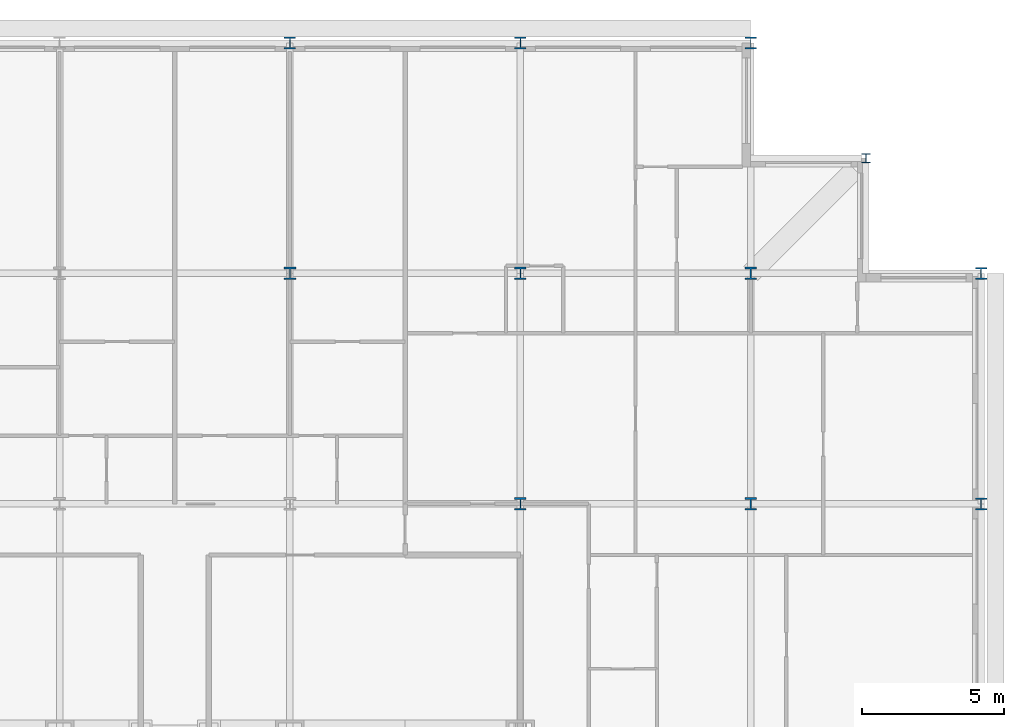
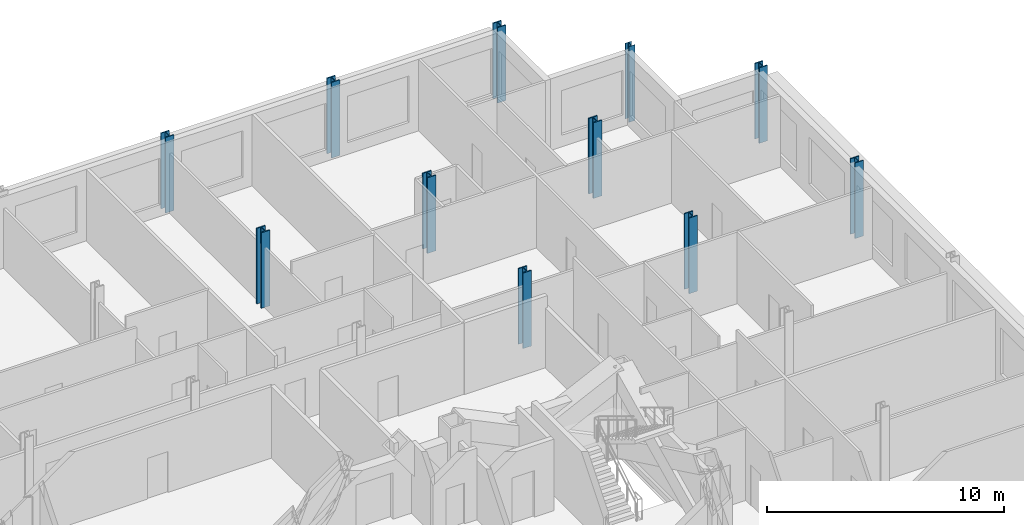
# One storey, part 4 of 15: 11 columns.
"""IFC4 building model written with IfcOpenShell, lengths in metres."""

from ifc_helpers import new_model, si_unit, direction, frame, origin, origin_2d, place, context, subcontext, project, spatial, i_section, extrude, material, material_profile, profile_set, type_object, element, save


model = new_model("IFC4")

# Units and contexts
model_context = context("Model", 3, precision=1e-05, world=origin(), true_north=direction((0.0, 1.0)))
body_context = subcontext(model_context, "Body", "Model", "MODEL_VIEW")
ifc_project = project(units=[si_unit("LENGTHUNIT", "METRE"), si_unit("AREAUNIT", "SQUARE_METRE"), si_unit("VOLUMEUNIT", "CUBIC_METRE"), si_unit("PLANEANGLEUNIT", "RADIAN"), si_unit("MASSUNIT", "GRAM", prefix="KILO")], contexts=[model_context])

# Site, building, storey
site_placement = place(None, origin())
site = spatial("IfcSite", under=ifc_project, at=site_placement, CompositionType="ELEMENT")
building_placement = place(site_placement, origin())
building = spatial("IfcBuilding", under=site, at=building_placement, Name="Kopane Lantern Tower", CompositionType="ELEMENT")
storey_placement = place(building_placement, frame((0.0, 0.0, 281.39990234375)))
storey = spatial("IfcBuildingStorey", under=building, at=storey_placement, Name="L72", CompositionType="ELEMENT", Elevation=281.39990234375)

# Columns
ifc_material_1 = material(Name="Steel S355JR", Category="steel")
ifc_material_profile_1 = material_profile(ifc_material_1, i_section(OverallWidth=0.307373046875, OverallDepth=0.314453125, WebThickness=0.011962890625, FlangeThickness=0.018798828125, FilletRadius=0.01513671875, at=origin_2d()), Name="UC 305x305x118")
ifc_profile_set_1 = profile_set([ifc_material_profile_1], Name="Steel S355JR")
column_type_1 = type_object("IfcColumnType", Name="COLUMN UC 305x305x118", PredefinedType="COLUMN", material=ifc_profile_set_1)
column_placement = place(storey_placement, frame((52.64990234375, 60.75, 0.0), z_axis=(0.0, 0.0, 1.0), x_axis=(1.0, 0.0, 0.0)))
element("IfcColumn", 1, at=column_placement, inside=storey, type_object=column_type_1, Name="Column 52.65/60.75 L72", PredefinedType="COLUMN", context=body_context, shape_type="SweptSolid", body=[
    extrude(i_section(OverallWidth=0.307373046875, OverallDepth=0.314453125, WebThickness=0.011962890625, FlangeThickness=0.018798828125, FilletRadius=0.01513671875, at=origin_2d()), origin(), (0.0, 0.0, 1.0), 3.900146484375),
])
ifc_material_2 = material(Name="Steel S355JR", Category="steel")
ifc_material_profile_2 = material_profile(ifc_material_2, i_section(OverallWidth=0.406982421875, OverallDepth=0.4189453125, WebThickness=0.030517578125, FlangeThickness=0.04931640625, FilletRadius=0.01513671875, at=origin_2d()), Name="UC 356x406x393")
ifc_profile_set_2 = profile_set([ifc_material_profile_2], Name="Steel S355JR")
column_type_2 = type_object("IfcColumnType", Name="COLUMN UC 356x406x393", PredefinedType="COLUMN", material=ifc_profile_set_2)
for number, where, z_axis, x_axis, name in (
    (2, (32.39990234375, 64.800048828125, 0.0), (0.0, 0.0, 1.0), (1.0, 0.0, 0.0), "Column 6/K L72"),
    (3, (40.5, 64.800048828125, 0.0), (0.0, 0.0, 1.0), (1.0, 0.0, 0.0), "Column 7/K L72"),
    (4, (48.60009765625, 64.800048828125, 0.0), (0.0, 0.0, 1.0), (1.0, 0.0, 0.0), "Column 8/K L72"),
    (5, (56.699951171875, 48.60009765625, 0.0), (0.0, 0.0, 1.0), (1.0, 0.0, 0.0), "Column 9/H L72"),
    (6, (56.699951171875, 56.699951171875, 0.0), (0.0, 0.0, 1.0), (1.0, 0.0, 0.0), "Column 9/J L72"),
):
    element("IfcColumn", number, at=place(storey_placement, frame(where, z_axis=z_axis, x_axis=x_axis)), inside=storey, type_object=column_type_2, Name=name, PredefinedType="COLUMN", context=body_context, shape_type="SweptSolid", body=[
        extrude(i_section(OverallWidth=0.406982421875, OverallDepth=0.4189453125, WebThickness=0.030517578125, FlangeThickness=0.04931640625, FilletRadius=0.01513671875, at=origin_2d()), origin(), (0.0, 0.0, 1.0), 3.900146484375),
    ])
ifc_material_3 = material(Name="Steel S355JR", Category="steel")
ifc_material_profile_3 = material_profile(ifc_material_3, i_section(OverallWidth=0.412109375, OverallDepth=0.4365234375, WebThickness=0.035888671875, FlangeThickness=0.05810546875, FilletRadius=0.01513671875, at=origin_2d()), Name="UC 356x406x467")
ifc_profile_set_3 = profile_set([ifc_material_profile_3], Name="Steel S355JR")
column_type_3 = type_object("IfcColumnType", Name="COLUMN UC 356x406x467", PredefinedType="COLUMN", material=ifc_profile_set_3)
for number, where, z_axis, x_axis, name in (
    (7, (32.39990234375, 56.699951171875, 0.0), (0.0, 0.0, 1.0), (1.0, 0.0, 0.0), "Column 6/J L72"),
    (8, (40.5, 48.60009765625, 0.0), (0.0, 0.0, 1.0), (1.0, 0.0, 0.0), "Column 7/H L72"),
    (9, (40.5, 56.699951171875, 0.0), (0.0, 0.0, 1.0), (1.0, 0.0, 0.0), "Column 7/J L72"),
    (10, (48.60009765625, 48.60009765625, 0.0), (0.0, 0.0, 1.0), (1.0, 0.0, 0.0), "Column 8/H L72"),
    (11, (48.60009765625, 56.699951171875, 0.0), (0.0, 0.0, 1.0), (1.0, 0.0, 0.0), "Column 8/J L72"),
):
    element("IfcColumn", number, at=place(storey_placement, frame(where, z_axis=z_axis, x_axis=x_axis)), inside=storey, type_object=column_type_3, Name=name, PredefinedType="COLUMN", context=body_context, shape_type="SweptSolid", body=[
        extrude(i_section(OverallWidth=0.412109375, OverallDepth=0.4365234375, WebThickness=0.035888671875, FlangeThickness=0.05810546875, FilletRadius=0.01513671875, at=origin_2d()), origin(), (0.0, 0.0, 1.0), 3.900146484375),
    ])

save(model, "model.ifc")
